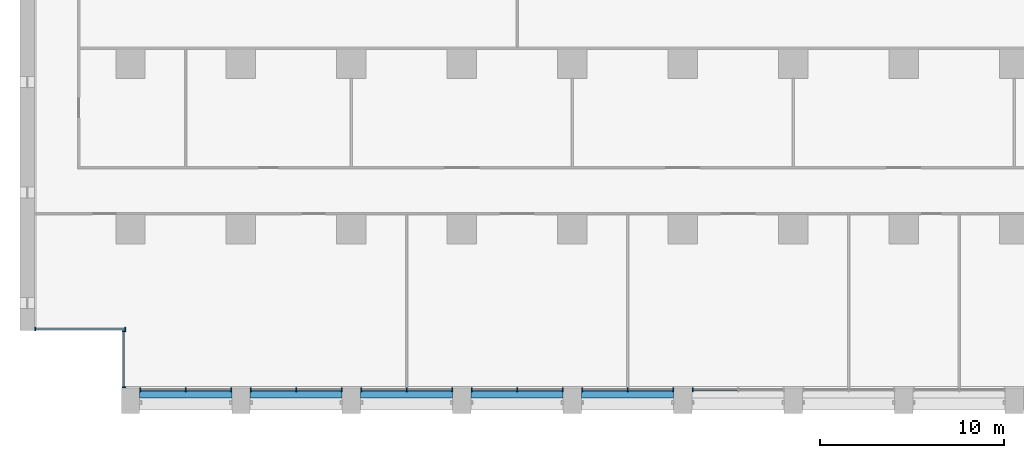
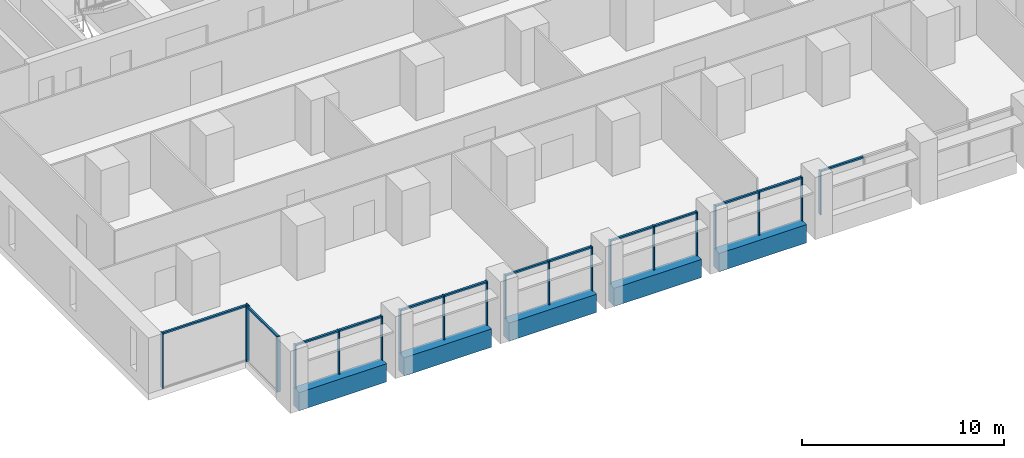
# One storey, part 2 of 18: 33 members, 5 beams, 8 elements without a shape of their own.
"""IFC4 building model written with IfcOpenShell, lengths in metres."""

from ifc_helpers import new_model, si_unit, direction, frame, origin, origin_2d, place, context, subcontext, project, spatial, rectangle, extrude, material, material_profile, profile_set, type_object, element, aggregate, save


model = new_model("IFC4")

# Units and contexts
model_context = context("Model", 3, precision=1e-05, world=origin(), true_north=direction((0.0, 1.0)))
body_context = subcontext(model_context, "Body", "Model", "MODEL_VIEW")
ifc_project = project(units=[si_unit("LENGTHUNIT", "METRE"), si_unit("AREAUNIT", "SQUARE_METRE"), si_unit("VOLUMEUNIT", "CUBIC_METRE"), si_unit("PLANEANGLEUNIT", "RADIAN"), si_unit("MASSUNIT", "GRAM", prefix="KILO")], contexts=[model_context])

# Site, building, storey
site_placement = place(None, origin())
site = spatial("IfcSite", under=ifc_project, at=site_placement, CompositionType="ELEMENT")
building_placement = place(site_placement, origin())
building = spatial("IfcBuilding", under=site, at=building_placement, Name="Calvaro Tower", CompositionType="ELEMENT")
storey_placement = place(building_placement, frame((0.0, 0.0, 63.75)))
storey = spatial("IfcBuildingStorey", under=building, at=storey_placement, Name="L15", CompositionType="ELEMENT", Elevation=63.75)

# Curtain wall, members
ifc_material_1 = material(Name="Anodised aluminium", Category="aluminium")
curtain_wall_type = type_object("IfcCurtainWallType", Name="Office curtain wall, lower zone", PredefinedType="NOTDEFINED", material=ifc_material_1)
curtain_wall_1_placement = place(storey_placement, origin())
curtain_wall_1 = element("IfcCurtainWall", 1, at=curtain_wall_1_placement, inside=storey, type_object=curtain_wall_type, Name="CW1 south curtain wall", PredefinedType="NOTDEFINED")
ifc_material_2 = material(Name="Anodised aluminium", Category="aluminium")
ifc_material_profile_1 = material_profile(ifc_material_2, rectangle(XDim=0.199951171875, YDim=0.06005859375, at=origin_2d()), Name="Mullion S1 60 x 200")
ifc_profile_set_1 = profile_set([ifc_material_profile_1], Name="Anodised aluminium")
member_type_1 = type_object("IfcMemberType", Name="Mullion S1 60 x 200", PredefinedType="MULLION", material=ifc_profile_set_1)
member_1_placement = place(storey_placement, frame((6.530029296875, 1.300048828125, 0.0), z_axis=(0.0, 0.0, 1.0), x_axis=(0.0, 1.0, 0.0)))
member_1 = element("IfcMember", 2, at=member_1_placement, type_object=member_type_1, Name="CW1 mullion 1", PredefinedType="MULLION", context=body_context, shape_type="SweptSolid", body=[
    extrude(rectangle(XDim=0.199951171875, YDim=0.06005859375, at=origin_2d()), origin(), (0.0, 0.0, 1.0), 2.64990234375),
])
member_2_placement = place(storey_placement, frame((9.0, 1.300048828125, 0.0), z_axis=(0.0, 0.0, 1.0), x_axis=(0.0, 1.0, 0.0)))
member_2 = element("IfcMember", 3, at=member_2_placement, type_object=member_type_1, Name="CW1 mullion 2", PredefinedType="MULLION", context=body_context, shape_type="SweptSolid", body=[
    extrude(rectangle(XDim=0.199951171875, YDim=0.06005859375, at=origin_2d()), origin(), (0.0, 0.0, 1.0), 2.64990234375),
])
member_3_placement = place(storey_placement, frame((11.469970703125, 1.300048828125, 0.0), z_axis=(0.0, 0.0, 1.0), x_axis=(0.0, 1.0, 0.0)))
member_3 = element("IfcMember", 4, at=member_3_placement, type_object=member_type_1, Name="CW1 mullion 3", PredefinedType="MULLION", context=body_context, shape_type="SweptSolid", body=[
    extrude(rectangle(XDim=0.199951171875, YDim=0.06005859375, at=origin_2d()), origin(), (0.0, 0.0, 1.0), 2.64990234375),
])

curtain_wall_2_placement = place(storey_placement, origin())
curtain_wall_2 = element("IfcCurtainWall", 5, at=curtain_wall_2_placement, inside=storey, type_object=curtain_wall_type, Name="CW1 south curtain wall", PredefinedType="NOTDEFINED")
member_4_placement = place(storey_placement, frame((12.530029296875, 1.300048828125, 0.0), z_axis=(0.0, 0.0, 1.0), x_axis=(0.0, 1.0, 0.0)))
member_4 = element("IfcMember", 6, at=member_4_placement, type_object=member_type_1, Name="CW1 mullion 1", PredefinedType="MULLION", context=body_context, shape_type="SweptSolid", body=[
    extrude(rectangle(XDim=0.199951171875, YDim=0.06005859375, at=origin_2d()), origin(), (0.0, 0.0, 1.0), 2.64990234375),
])
member_5_placement = place(storey_placement, frame((15.0, 1.300048828125, 0.0), z_axis=(0.0, 0.0, 1.0), x_axis=(0.0, 1.0, 0.0)))
member_5 = element("IfcMember", 7, at=member_5_placement, type_object=member_type_1, Name="CW1 mullion 2", PredefinedType="MULLION", context=body_context, shape_type="SweptSolid", body=[
    extrude(rectangle(XDim=0.199951171875, YDim=0.06005859375, at=origin_2d()), origin(), (0.0, 0.0, 1.0), 2.64990234375),
])
member_6_placement = place(storey_placement, frame((17.469970703125, 1.300048828125, 0.0), z_axis=(0.0, 0.0, 1.0), x_axis=(0.0, 1.0, 0.0)))
member_6 = element("IfcMember", 8, at=member_6_placement, type_object=member_type_1, Name="CW1 mullion 3", PredefinedType="MULLION", context=body_context, shape_type="SweptSolid", body=[
    extrude(rectangle(XDim=0.199951171875, YDim=0.06005859375, at=origin_2d()), origin(), (0.0, 0.0, 1.0), 2.64990234375),
])

curtain_wall_3_placement = place(storey_placement, origin())
curtain_wall_3 = element("IfcCurtainWall", 9, at=curtain_wall_3_placement, inside=storey, type_object=curtain_wall_type, Name="CW1 south curtain wall", PredefinedType="NOTDEFINED")
member_7_placement = place(storey_placement, frame((18.530029296875, 1.300048828125, 0.0), z_axis=(0.0, 0.0, 1.0), x_axis=(0.0, 1.0, 0.0)))
member_7 = element("IfcMember", 10, at=member_7_placement, type_object=member_type_1, Name="CW1 mullion 1", PredefinedType="MULLION", context=body_context, shape_type="SweptSolid", body=[
    extrude(rectangle(XDim=0.199951171875, YDim=0.06005859375, at=origin_2d()), origin(), (0.0, 0.0, 1.0), 2.64990234375),
])
member_8_placement = place(storey_placement, frame((21.0, 1.300048828125, 0.0), z_axis=(0.0, 0.0, 1.0), x_axis=(0.0, 1.0, 0.0)))
member_8 = element("IfcMember", 11, at=member_8_placement, type_object=member_type_1, Name="CW1 mullion 2", PredefinedType="MULLION", context=body_context, shape_type="SweptSolid", body=[
    extrude(rectangle(XDim=0.199951171875, YDim=0.06005859375, at=origin_2d()), origin(), (0.0, 0.0, 1.0), 2.64990234375),
])
member_9_placement = place(storey_placement, frame((23.469970703125, 1.300048828125, 0.0), z_axis=(0.0, 0.0, 1.0), x_axis=(0.0, 1.0, 0.0)))
member_9 = element("IfcMember", 12, at=member_9_placement, type_object=member_type_1, Name="CW1 mullion 3", PredefinedType="MULLION", context=body_context, shape_type="SweptSolid", body=[
    extrude(rectangle(XDim=0.199951171875, YDim=0.06005859375, at=origin_2d()), origin(), (0.0, 0.0, 1.0), 2.64990234375),
])

curtain_wall_4_placement = place(storey_placement, origin())
curtain_wall_4 = element("IfcCurtainWall", 13, at=curtain_wall_4_placement, inside=storey, type_object=curtain_wall_type, Name="CW1 south curtain wall", PredefinedType="NOTDEFINED")
member_10_placement = place(storey_placement, frame((24.530029296875, 1.300048828125, 0.0), z_axis=(0.0, 0.0, 1.0), x_axis=(0.0, 1.0, 0.0)))
member_10 = element("IfcMember", 14, at=member_10_placement, type_object=member_type_1, Name="CW1 mullion 1", PredefinedType="MULLION", context=body_context, shape_type="SweptSolid", body=[
    extrude(rectangle(XDim=0.199951171875, YDim=0.06005859375, at=origin_2d()), origin(), (0.0, 0.0, 1.0), 2.64990234375),
])
member_11_placement = place(storey_placement, frame((27.0, 1.300048828125, 0.0), z_axis=(0.0, 0.0, 1.0), x_axis=(0.0, 1.0, 0.0)))
member_11 = element("IfcMember", 15, at=member_11_placement, type_object=member_type_1, Name="CW1 mullion 2", PredefinedType="MULLION", context=body_context, shape_type="SweptSolid", body=[
    extrude(rectangle(XDim=0.199951171875, YDim=0.06005859375, at=origin_2d()), origin(), (0.0, 0.0, 1.0), 2.64990234375),
])
member_12_placement = place(storey_placement, frame((29.469970703125, 1.300048828125, 0.0), z_axis=(0.0, 0.0, 1.0), x_axis=(0.0, 1.0, 0.0)))
member_12 = element("IfcMember", 16, at=member_12_placement, type_object=member_type_1, Name="CW1 mullion 3", PredefinedType="MULLION", context=body_context, shape_type="SweptSolid", body=[
    extrude(rectangle(XDim=0.199951171875, YDim=0.06005859375, at=origin_2d()), origin(), (0.0, 0.0, 1.0), 2.64990234375),
])

curtain_wall_5_placement = place(storey_placement, origin())
curtain_wall_5 = element("IfcCurtainWall", 17, at=curtain_wall_5_placement, inside=storey, type_object=curtain_wall_type, Name="CW1 south curtain wall", PredefinedType="NOTDEFINED")
member_13_placement = place(storey_placement, frame((30.530029296875, 1.300048828125, 0.0), z_axis=(0.0, 0.0, 1.0), x_axis=(0.0, 1.0, 0.0)))
member_13 = element("IfcMember", 18, at=member_13_placement, type_object=member_type_1, Name="CW1 mullion 1", PredefinedType="MULLION", context=body_context, shape_type="SweptSolid", body=[
    extrude(rectangle(XDim=0.199951171875, YDim=0.06005859375, at=origin_2d()), origin(), (0.0, 0.0, 1.0), 2.64990234375),
])
member_14_placement = place(storey_placement, frame((33.0, 1.300048828125, 0.0), z_axis=(0.0, 0.0, 1.0), x_axis=(0.0, 1.0, 0.0)))
member_14 = element("IfcMember", 19, at=member_14_placement, type_object=member_type_1, Name="CW1 mullion 2", PredefinedType="MULLION", context=body_context, shape_type="SweptSolid", body=[
    extrude(rectangle(XDim=0.199951171875, YDim=0.06005859375, at=origin_2d()), origin(), (0.0, 0.0, 1.0), 2.64990234375),
])
member_15_placement = place(storey_placement, frame((35.469970703125, 1.300048828125, 0.0), z_axis=(0.0, 0.0, 1.0), x_axis=(0.0, 1.0, 0.0)))
member_15 = element("IfcMember", 20, at=member_15_placement, type_object=member_type_1, Name="CW1 mullion 3", PredefinedType="MULLION", context=body_context, shape_type="SweptSolid", body=[
    extrude(rectangle(XDim=0.199951171875, YDim=0.06005859375, at=origin_2d()), origin(), (0.0, 0.0, 1.0), 2.64990234375),
])

# Curtain wall, member
curtain_wall_6_placement = place(storey_placement, origin())
curtain_wall_6 = element("IfcCurtainWall", 21, at=curtain_wall_6_placement, inside=storey, type_object=curtain_wall_type, Name="CW1 south curtain wall", PredefinedType="NOTDEFINED")
member_16_placement = place(storey_placement, frame((36.530029296875, 1.300048828125, 0.0), z_axis=(0.0, 0.0, 1.0), x_axis=(0.0, 1.0, 0.0)))
member_16 = element("IfcMember", 22, at=member_16_placement, type_object=member_type_1, Name="CW1 mullion 1", PredefinedType="MULLION", context=body_context, shape_type="SweptSolid", body=[
    extrude(rectangle(XDim=0.199951171875, YDim=0.06005859375, at=origin_2d()), origin(), (0.0, 0.0, 1.0), 2.64990234375),
])

# Curtain wall, members
curtain_wall_7_placement = place(storey_placement, origin())
curtain_wall_7 = element("IfcCurtainWall", 23, at=curtain_wall_7_placement, inside=storey, type_object=curtain_wall_type, Name="CW1 corner curtain wall", PredefinedType="NOTDEFINED")
member_17_placement = place(storey_placement, frame((5.64990234375, 1.429931640625, 0.0), z_axis=(0.0, 0.0, 1.0), x_axis=(-1.0, 0.0, 0.0)))
member_17 = element("IfcMember", 24, at=member_17_placement, type_object=member_type_1, Name="CW1 mullion 1", PredefinedType="MULLION", context=body_context, shape_type="SweptSolid", body=[
    extrude(rectangle(XDim=0.199951171875, YDim=0.06005859375, at=origin_2d()), origin(), (0.0, 0.0, 1.0), 3.35009765625),
])
member_18_placement = place(storey_placement, frame((5.64990234375, 4.469970703125, 0.0), z_axis=(0.0, 0.0, 1.0), x_axis=(-1.0, 0.0, 0.0)))
member_18 = element("IfcMember", 25, at=member_18_placement, type_object=member_type_1, Name="CW1 mullion 2", PredefinedType="MULLION", context=body_context, shape_type="SweptSolid", body=[
    extrude(rectangle(XDim=0.199951171875, YDim=0.06005859375, at=origin_2d()), origin(), (0.0, 0.0, 1.0), 3.35009765625),
])

curtain_wall_8_placement = place(storey_placement, origin())
curtain_wall_8 = element("IfcCurtainWall", 26, at=curtain_wall_8_placement, inside=storey, type_object=curtain_wall_type, Name="CW1 corner curtain wall", PredefinedType="NOTDEFINED")
member_19_placement = place(storey_placement, frame((0.830078125, 4.60009765625, 0.0), z_axis=(0.0, 0.0, 1.0), x_axis=(0.0, 1.0, 0.0)))
member_19 = element("IfcMember", 27, at=member_19_placement, type_object=member_type_1, Name="CW1 mullion 1", PredefinedType="MULLION", context=body_context, shape_type="SweptSolid", body=[
    extrude(rectangle(XDim=0.199951171875, YDim=0.06005859375, at=origin_2d()), origin(), (0.0, 0.0, 1.0), 3.35009765625),
])
member_20_placement = place(storey_placement, frame((5.719970703125, 4.60009765625, 0.0), z_axis=(0.0, 0.0, 1.0), x_axis=(0.0, 1.0, 0.0)))
member_20 = element("IfcMember", 28, at=member_20_placement, type_object=member_type_1, Name="CW1 mullion 2", PredefinedType="MULLION", context=body_context, shape_type="SweptSolid", body=[
    extrude(rectangle(XDim=0.199951171875, YDim=0.06005859375, at=origin_2d()), origin(), (0.0, 0.0, 1.0), 3.35009765625),
])

# Beams
ifc_material_3 = material(Name="Concrete C50/60 precast", Category="concrete")
ifc_material_profile_2 = material_profile(ifc_material_3, rectangle(XDim=0.550048828125, YDim=1.10009765625, at=origin_2d()), Name="RC 550x1100")
ifc_profile_set_2 = profile_set([ifc_material_profile_2], Name="Concrete C50/60 precast")
beam_type = type_object("IfcBeamType", Name="Spandrel beam 550x1100 C50/60", PredefinedType="SPANDREL", material=ifc_profile_set_2)
for number, where, z_axis, x_axis, name in (
    (29, (6.5, 1.125, -0.550048828125), (1.0, 0.0, 0.0), (0.0, 1.0, 0.0), "Spandrel beam"),
    (30, (12.5, 1.125, -0.550048828125), (1.0, 0.0, 0.0), (0.0, 1.0, 0.0), "Spandrel beam"),
    (31, (18.5, 1.125, -0.550048828125), (1.0, 0.0, 0.0), (0.0, 1.0, 0.0), "Spandrel beam"),
    (32, (24.5, 1.125, -0.550048828125), (1.0, 0.0, 0.0), (0.0, 1.0, 0.0), "Spandrel beam"),
    (33, (30.5, 1.125, -0.550048828125), (1.0, 0.0, 0.0), (0.0, 1.0, 0.0), "Spandrel beam"),
):
    element("IfcBeam", number, at=place(storey_placement, frame(where, z_axis=z_axis, x_axis=x_axis)), inside=storey, type_object=beam_type, Name=name, PredefinedType="SPANDREL", context=body_context, shape_type="SweptSolid", body=[
        extrude(rectangle(XDim=0.550048828125, YDim=1.10009765625, at=origin_2d()), origin(), (0.0, 0.0, 1.0), 5.0),
    ])

# Member
ifc_material_4 = material(Name="Anodised aluminium", Category="aluminium")
ifc_material_profile_3 = material_profile(ifc_material_4, rectangle(XDim=0.1201171875, YDim=0.10009765625, at=origin_2d()), Name="Transom S1 100 x 120")
ifc_profile_set_3 = profile_set([ifc_material_profile_3], Name="Anodised aluminium")
member_type_2 = type_object("IfcMemberType", Name="Transom S1 100 x 120", PredefinedType="USERDEFINED", material=ifc_profile_set_3)
member_21_placement = place(storey_placement, frame((6.56005859375, 1.300048828125, 2.60009765625), z_axis=(1.0, 0.0, 0.0), x_axis=(0.0, 1.0, 0.0)))
member_21 = element("IfcMember", 34, at=member_21_placement, type_object=member_type_2, Name="CW1 transom 1.1", ObjectType="TRANSOM", PredefinedType="USERDEFINED", context=body_context, shape_type="SweptSolid", body=[
    extrude(rectangle(XDim=0.1201171875, YDim=0.10009765625, at=origin_2d()), origin(), (0.0, 0.0, 1.0), 2.409912109375),
])

member_22_placement = place(storey_placement, frame((9.030029296875, 1.300048828125, 2.60009765625), z_axis=(1.0, 0.0, 0.0), x_axis=(0.0, 1.0, 0.0)))
member_22 = element("IfcMember", 35, at=member_22_placement, type_object=member_type_2, Name="CW1 transom 2.1", ObjectType="TRANSOM", PredefinedType="USERDEFINED", context=body_context, shape_type="SweptSolid", body=[
    extrude(rectangle(XDim=0.1201171875, YDim=0.10009765625, at=origin_2d()), origin(), (0.0, 0.0, 1.0), 2.409912109375),
])

aggregate(curtain_wall_1, [member_1, member_2, member_3, member_21, member_22])

member_23_placement = place(storey_placement, frame((12.56005859375, 1.300048828125, 2.60009765625), z_axis=(1.0, 0.0, 0.0), x_axis=(0.0, 1.0, 0.0)))
member_23 = element("IfcMember", 36, at=member_23_placement, type_object=member_type_2, Name="CW1 transom 1.1", ObjectType="TRANSOM", PredefinedType="USERDEFINED", context=body_context, shape_type="SweptSolid", body=[
    extrude(rectangle(XDim=0.1201171875, YDim=0.10009765625, at=origin_2d()), origin(), (0.0, 0.0, 1.0), 2.409912109375),
])

member_24_placement = place(storey_placement, frame((15.030029296875, 1.300048828125, 2.60009765625), z_axis=(1.0, 0.0, 0.0), x_axis=(0.0, 1.0, 0.0)))
member_24 = element("IfcMember", 37, at=member_24_placement, type_object=member_type_2, Name="CW1 transom 2.1", ObjectType="TRANSOM", PredefinedType="USERDEFINED", context=body_context, shape_type="SweptSolid", body=[
    extrude(rectangle(XDim=0.1201171875, YDim=0.10009765625, at=origin_2d()), origin(), (0.0, 0.0, 1.0), 2.409912109375),
])

aggregate(curtain_wall_2, [member_4, member_5, member_6, member_23, member_24])

member_25_placement = place(storey_placement, frame((18.56005859375, 1.300048828125, 2.60009765625), z_axis=(1.0, 0.0, 0.0), x_axis=(0.0, 1.0, 0.0)))
member_25 = element("IfcMember", 38, at=member_25_placement, type_object=member_type_2, Name="CW1 transom 1.1", ObjectType="TRANSOM", PredefinedType="USERDEFINED", context=body_context, shape_type="SweptSolid", body=[
    extrude(rectangle(XDim=0.1201171875, YDim=0.10009765625, at=origin_2d()), origin(), (0.0, 0.0, 1.0), 2.409912109375),
])

member_26_placement = place(storey_placement, frame((21.030029296875, 1.300048828125, 2.60009765625), z_axis=(1.0, 0.0, 0.0), x_axis=(0.0, 1.0, 0.0)))
member_26 = element("IfcMember", 39, at=member_26_placement, type_object=member_type_2, Name="CW1 transom 2.1", ObjectType="TRANSOM", PredefinedType="USERDEFINED", context=body_context, shape_type="SweptSolid", body=[
    extrude(rectangle(XDim=0.1201171875, YDim=0.10009765625, at=origin_2d()), origin(), (0.0, 0.0, 1.0), 2.409912109375),
])

aggregate(curtain_wall_3, [member_7, member_8, member_9, member_25, member_26])

member_27_placement = place(storey_placement, frame((24.56005859375, 1.300048828125, 2.60009765625), z_axis=(1.0, 0.0, 0.0), x_axis=(0.0, 1.0, 0.0)))
member_27 = element("IfcMember", 40, at=member_27_placement, type_object=member_type_2, Name="CW1 transom 1.1", ObjectType="TRANSOM", PredefinedType="USERDEFINED", context=body_context, shape_type="SweptSolid", body=[
    extrude(rectangle(XDim=0.1201171875, YDim=0.10009765625, at=origin_2d()), origin(), (0.0, 0.0, 1.0), 2.409912109375),
])

member_28_placement = place(storey_placement, frame((27.030029296875, 1.300048828125, 2.60009765625), z_axis=(1.0, 0.0, 0.0), x_axis=(0.0, 1.0, 0.0)))
member_28 = element("IfcMember", 41, at=member_28_placement, type_object=member_type_2, Name="CW1 transom 2.1", ObjectType="TRANSOM", PredefinedType="USERDEFINED", context=body_context, shape_type="SweptSolid", body=[
    extrude(rectangle(XDim=0.1201171875, YDim=0.10009765625, at=origin_2d()), origin(), (0.0, 0.0, 1.0), 2.409912109375),
])

aggregate(curtain_wall_4, [member_10, member_11, member_12, member_27, member_28])

member_29_placement = place(storey_placement, frame((30.56005859375, 1.300048828125, 2.60009765625), z_axis=(1.0, 0.0, 0.0), x_axis=(0.0, 1.0, 0.0)))
member_29 = element("IfcMember", 42, at=member_29_placement, type_object=member_type_2, Name="CW1 transom 1.1", ObjectType="TRANSOM", PredefinedType="USERDEFINED", context=body_context, shape_type="SweptSolid", body=[
    extrude(rectangle(XDim=0.1201171875, YDim=0.10009765625, at=origin_2d()), origin(), (0.0, 0.0, 1.0), 2.409912109375),
])

member_30_placement = place(storey_placement, frame((33.030029296875, 1.300048828125, 2.60009765625), z_axis=(1.0, 0.0, 0.0), x_axis=(0.0, 1.0, 0.0)))
member_30 = element("IfcMember", 43, at=member_30_placement, type_object=member_type_2, Name="CW1 transom 2.1", ObjectType="TRANSOM", PredefinedType="USERDEFINED", context=body_context, shape_type="SweptSolid", body=[
    extrude(rectangle(XDim=0.1201171875, YDim=0.10009765625, at=origin_2d()), origin(), (0.0, 0.0, 1.0), 2.409912109375),
])

aggregate(curtain_wall_5, [member_13, member_14, member_15, member_29, member_30])

member_31_placement = place(storey_placement, frame((36.56005859375, 1.300048828125, 2.60009765625), z_axis=(1.0, 0.0, 0.0), x_axis=(0.0, 1.0, 0.0)))
member_31 = element("IfcMember", 44, at=member_31_placement, type_object=member_type_2, Name="CW1 transom 1.1", ObjectType="TRANSOM", PredefinedType="USERDEFINED", context=body_context, shape_type="SweptSolid", body=[
    extrude(rectangle(XDim=0.1201171875, YDim=0.10009765625, at=origin_2d()), origin(), (0.0, 0.0, 1.0), 2.409912109375),
])

aggregate(curtain_wall_6, [member_16, member_31])

member_32_placement = place(storey_placement, frame((5.64990234375, 1.4599609375, 3.300048828125), z_axis=(0.0, 1.0, 0.0), x_axis=(-1.0, 0.0, 0.0)))
member_32 = element("IfcMember", 45, at=member_32_placement, type_object=member_type_2, Name="CW1 transom 1.1", ObjectType="TRANSOM", PredefinedType="USERDEFINED", context=body_context, shape_type="SweptSolid", body=[
    extrude(rectangle(XDim=0.1201171875, YDim=0.10009765625, at=origin_2d()), origin(), (0.0, 0.0, 1.0), 2.97998046875),
])

aggregate(curtain_wall_7, [member_17, member_18, member_32])

member_33_placement = place(storey_placement, frame((0.860107421875, 4.60009765625, 3.300048828125), z_axis=(1.0, 0.0, 0.0), x_axis=(0.0, 1.0, 0.0)))
member_33 = element("IfcMember", 46, at=member_33_placement, type_object=member_type_2, Name="CW1 transom 1.1", ObjectType="TRANSOM", PredefinedType="USERDEFINED", context=body_context, shape_type="SweptSolid", body=[
    extrude(rectangle(XDim=0.1201171875, YDim=0.10009765625, at=origin_2d()), origin(), (0.0, 0.0, 1.0), 4.829833984375),
])

aggregate(curtain_wall_8, [member_19, member_20, member_33])

save(model, "model.ifc")
